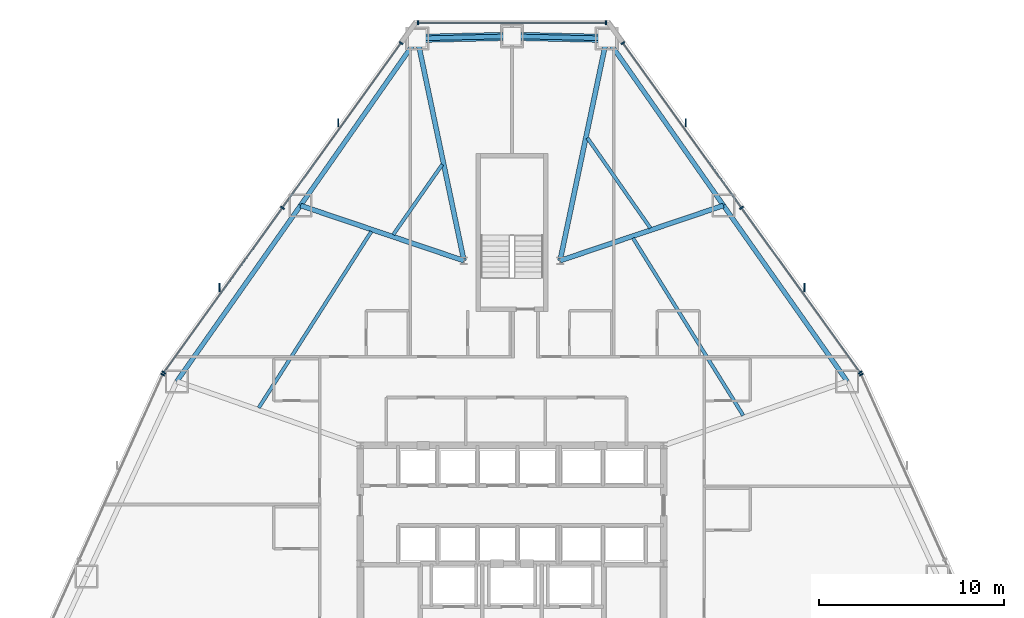
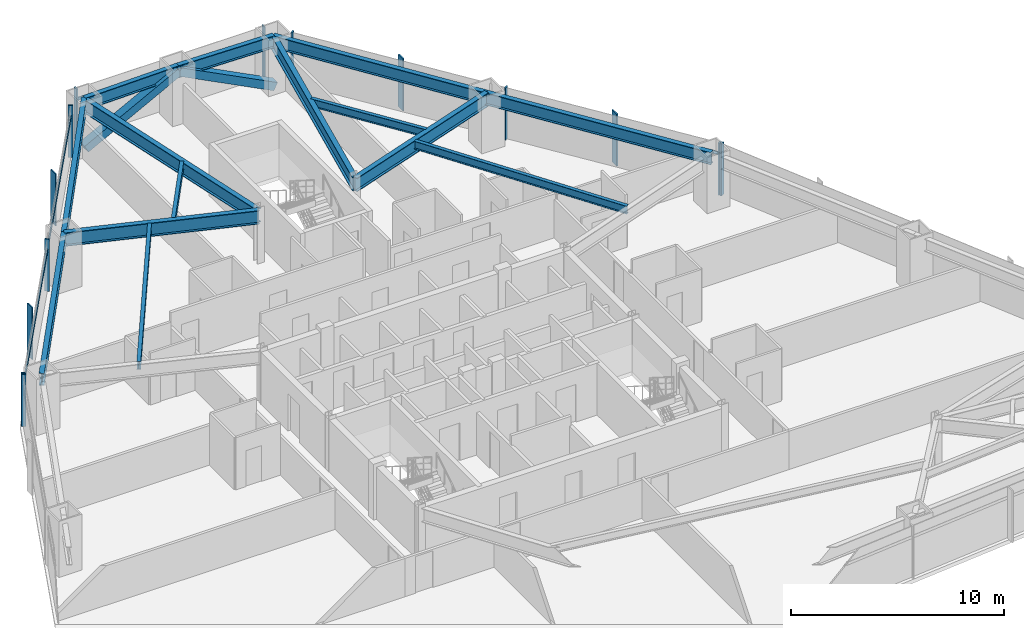
# One storey, part 7 of 12: 19 members, 14 beams, 5 elements without a shape of their own.
"""IFC4 building model written with IfcOpenShell, lengths in metres."""

from ifc_helpers import new_model, si_unit, direction, frame, origin, origin_2d, place, context, subcontext, project, spatial, rectangle, hollow_rectangle, i_section, extrude, source, transform, mapped, material, layer, layer_set, material_profile, profile_set, type_object, type_shapes, element, aggregate, save


model = new_model("IFC4")

# Units and contexts
model_context = context("Model", 3, precision=1e-05, world=origin(), true_north=direction((0.0, 1.0)))
body_context = subcontext(model_context, "Body", "Model", "MODEL_VIEW")
ifc_project = project(units=[si_unit("LENGTHUNIT", "METRE"), si_unit("AREAUNIT", "SQUARE_METRE"), si_unit("VOLUMEUNIT", "CUBIC_METRE"), si_unit("PLANEANGLEUNIT", "RADIAN"), si_unit("MASSUNIT", "GRAM", prefix="KILO")], contexts=[model_context])

# Site, building, storey
site_placement = place(None, origin())
site = spatial("IfcSite", under=ifc_project, at=site_placement, CompositionType="ELEMENT")
building_placement = place(site_placement, origin())
building = spatial("IfcBuilding", under=site, at=building_placement, Name="Varakhsha Concourse Tower", CompositionType="ELEMENT")
storey_placement = place(building_placement, frame((0.0, 0.0, 33.60009765625)))
storey = spatial("IfcBuildingStorey", under=building, at=storey_placement, Name="L08", CompositionType="ELEMENT", Elevation=33.60009765625)

# Beams
ifc_material_1 = material(Name="Structural Steel ASTM A992 Grade 50", Category="steel")
ifc_material_profile_1 = material_profile(ifc_material_1, i_section(OverallWidth=0.26611328125, OverallDepth=0.779052734375, WebThickness=0.01708984375, FlangeThickness=0.030029296875, at=origin_2d()), Name="W30X148")
ifc_profile_set_1 = profile_set([ifc_material_profile_1], Name="Structural Steel ASTM A992 Grade 50")
beam_type_1 = type_object("IfcBeamType", Name="BM-BASE-W30X148", PredefinedType="USERDEFINED", material=ifc_profile_set_1)
for number, where, z_axis, x_axis, name in (
    (1, (42.60009765625, 41.199951171875, 2.59033203125), (0.205439579313, 0.97866980093, 0.0), (-0.97866980093, 0.205439579313, 0.0), "L08 Radial Floor Girder 01"),
    (2, (37.39990234375, 41.199951171875, 2.59033203125), (-0.205439579313, 0.97866980093, 0.0), (-0.97866980093, -0.205439579313, 0.0), "L08 Radial Floor Girder 03"),
):
    element("IfcBeam", number, at=place(storey_placement, frame(where, z_axis=z_axis, x_axis=x_axis)), inside=storey, type_object=beam_type_1, Name=name, ObjectType="GIRDER", PredefinedType="USERDEFINED", context=body_context, shape_type="SweptSolid", body=[
        extrude(i_section(OverallWidth=0.26611328125, OverallDepth=0.779052734375, WebThickness=0.01708984375, FlangeThickness=0.030029296875, at=origin_2d()), origin(), (0.0, 0.0, 1.0), 12.285400390625),
    ])
for number, where, z_axis, x_axis, name in (
    (3, (37.39990234375, 41.199951171875, 2.59033203125), (-0.947494062614, 0.319773359288, 0.0), (-0.319773359288, -0.947494062614, 0.0), "L08 Radial Floor Girder 04"),
    (4, (42.60009765625, 41.199951171875, 2.59033203125), (0.947494062614, 0.319773359288, 0.0), (-0.319773359288, 0.947494062614, 0.0), "L08 Radial Floor Girder 18"),
):
    element("IfcBeam", number, at=place(storey_placement, frame(where, z_axis=z_axis, x_axis=x_axis)), inside=storey, type_object=beam_type_1, Name=name, ObjectType="GIRDER", PredefinedType="USERDEFINED", context=body_context, shape_type="SweptSolid", body=[
        extrude(i_section(OverallWidth=0.26611328125, OverallDepth=0.779052734375, WebThickness=0.01708984375, FlangeThickness=0.030029296875, at=origin_2d()), origin(), (0.0, 0.0, 1.0), 9.331298828125),
    ])
ifc_material_profile_2 = material_profile(ifc_material_1, i_section(OverallWidth=0.19091796875, OverallDepth=0.45703125, WebThickness=0.009033203125, FlangeThickness=0.013916015625, at=origin_2d()), Name="W18X50")
ifc_profile_set_2 = profile_set([ifc_material_profile_2], Name="Structural Steel ASTM A992 Grade 50")
beam_type_2 = type_object("IfcBeamType", Name="BM-JST-W18X50", PredefinedType="JOIST", material=ifc_profile_set_2)
beam_1_placement = place(storey_placement, frame((36.226318359375, 46.400146484375, 2.75146484375), z_axis=(-0.572821959369, -0.819679817285, 0.0), x_axis=(0.819679817285, -0.572821959369, 0.0)))
element("IfcBeam", 5, at=beam_1_placement, inside=storey, type_object=beam_type_2, Name="BM-TJST-L08-03", PredefinedType="JOIST", context=body_context, shape_type="SweptSolid", body=[
    extrude(i_section(OverallWidth=0.19091796875, OverallDepth=0.45703125, WebThickness=0.009033203125, FlangeThickness=0.013916015625, at=origin_2d()), origin(), (0.0, 0.0, 1.0), 4.63232421875),
])
beam_2_placement = place(storey_placement, frame((32.3896484375, 42.7783203125, 2.75146484375), z_axis=(-0.53821146818, -0.842809833545, 0.0), x_axis=(0.842809833545, -0.53821146818, 0.0)))
element("IfcBeam", 6, at=beam_2_placement, inside=storey, type_object=beam_type_2, Name="BM-TJST-L08-04", PredefinedType="JOIST", context=body_context, shape_type="SweptSolid", body=[
    extrude(i_section(OverallWidth=0.19091796875, OverallDepth=0.45703125, WebThickness=0.009033203125, FlangeThickness=0.013916015625, at=origin_2d()), origin(), (0.0, 0.0, 1.0), 11.322265625),
])
beam_3_placement = place(storey_placement, frame((52.51318359375, 32.8203125, 2.75146484375), z_axis=(-0.527810727091, 0.849362017262, 0.0), x_axis=(-0.849362017262, -0.527810727091, 0.0)))
element("IfcBeam", 7, at=beam_3_placement, inside=storey, type_object=beam_type_2, Name="BM-TJST-L08-17", PredefinedType="JOIST", context=body_context, shape_type="SweptSolid", body=[
    extrude(i_section(OverallWidth=0.19091796875, OverallDepth=0.45703125, WebThickness=0.009033203125, FlangeThickness=0.013916015625, at=origin_2d()), origin(), (0.0, 0.0, 1.0), 11.301513671875),
])
beam_4_placement = place(storey_placement, frame((47.488037109375, 42.961181640625, 2.75146484375), z_axis=(-0.572823903729, 0.819678458492, 0.0), x_axis=(-0.819678458492, -0.572823903729, 0.0)))
element("IfcBeam", 8, at=beam_4_placement, inside=storey, type_object=beam_type_2, Name="BM-TJST-L08-18", PredefinedType="JOIST", context=body_context, shape_type="SweptSolid", body=[
    extrude(i_section(OverallWidth=0.19091796875, OverallDepth=0.45703125, WebThickness=0.009033203125, FlangeThickness=0.013916015625, at=origin_2d()), origin(), (0.0, 0.0, 1.0), 5.955810546875),
])
ifc_material_profile_3 = material_profile(ifc_material_1, i_section(OverallWidth=0.25390625, OverallDepth=0.701904296875, WebThickness=0.014892578125, FlangeThickness=0.028076171875, at=origin_2d()), Name="W27X129")
ifc_profile_set_3 = profile_set([ifc_material_profile_3], Name="Structural Steel ASTM A992 Grade 50")
beam_type_3 = type_object("IfcBeamType", Name="BM-SPAN-W27X129", PredefinedType="SPANDREL", material=ifc_profile_set_3)
for number, where, z_axis, x_axis, name in (
    (9, (45.1240234375, 53.223388671875, 2.62890625), (-0.999740752381, 0.022769014658, 0.0), (-0.022769014658, -0.999740752381, 0.0), "BM-SPAN-L08-01"),
    (10, (40.0, 53.340087890625, 2.62890625), (-0.999740752381, -0.022769014658, 0.0), (0.022769014658, -0.999740752381, 0.0), "BM-SPAN-L08-02"),
):
    element("IfcBeam", number, at=place(storey_placement, frame(where, z_axis=z_axis, x_axis=x_axis)), inside=storey, type_object=beam_type_3, Name=name, PredefinedType="SPANDREL", context=body_context, shape_type="SweptSolid", body=[
        extrude(i_section(OverallWidth=0.25390625, OverallDepth=0.701904296875, WebThickness=0.014892578125, FlangeThickness=0.028076171875, at=origin_2d()), origin(), (0.0, 0.0, 1.0), 5.125244140625),
    ])
beam_5_placement = place(storey_placement, frame((34.8759765625, 53.223388671875, 2.62890625), z_axis=(-0.572835189136, -0.819670571686, 0.0), x_axis=(0.819670571686, -0.572835189136, 0.0)))
element("IfcBeam", 11, at=beam_5_placement, inside=storey, type_object=beam_type_3, Name="BM-SPAN-L08-03", PredefinedType="SPANDREL", context=body_context, shape_type="SweptSolid", body=[
    extrude(i_section(OverallWidth=0.25390625, OverallDepth=0.701904296875, WebThickness=0.014892578125, FlangeThickness=0.028076171875, at=origin_2d()), origin(), (0.0, 0.0, 1.0), 11.0283203125),
])
for number, where, z_axis, x_axis, name in (
    (12, (28.55859375, 44.183837890625, 2.62890625), (-0.575386304622, -0.817881776575, 0.0), (0.817881776575, -0.575386304622, 0.0), "BM-SPAN-L08-04"),
    (13, (58.134521484375, 34.669921875, 2.62890625), (-0.575386304622, 0.817881776575, 0.0), (-0.817881776575, -0.575386304622, 0.0), "BM-SPAN-L08-17"),
):
    element("IfcBeam", number, at=place(storey_placement, frame(where, z_axis=z_axis, x_axis=x_axis)), inside=storey, type_object=beam_type_3, Name=name, PredefinedType="SPANDREL", context=body_context, shape_type="SweptSolid", body=[
        extrude(i_section(OverallWidth=0.25390625, OverallDepth=0.701904296875, WebThickness=0.014892578125, FlangeThickness=0.028076171875, at=origin_2d()), origin(), (0.0, 0.0, 1.0), 11.63232421875),
    ])
beam_6_placement = place(storey_placement, frame((51.44140625, 44.183837890625, 2.62890625), z_axis=(-0.572835189136, 0.819670571686, 0.0), x_axis=(-0.819670571686, -0.572835189136, 0.0)))
element("IfcBeam", 14, at=beam_6_placement, inside=storey, type_object=beam_type_3, Name="BM-SPAN-L08-18", PredefinedType="SPANDREL", context=body_context, shape_type="SweptSolid", body=[
    extrude(i_section(OverallWidth=0.25390625, OverallDepth=0.701904296875, WebThickness=0.014892578125, FlangeThickness=0.028076171875, at=origin_2d()), origin(), (0.0, 0.0, 1.0), 11.0283203125),
])

# Members
ifc_material_2 = material(Name="Structural Steel ASTM A500 Grade C", Category="steel")
ifc_material_profile_4 = material_profile(ifc_material_2, hollow_rectangle(XDim=0.449951171875, YDim=0.449951171875, WallThickness=0.01904296875, at=origin_2d()), Name="HSS 450x450x19")
ifc_profile_set_4 = profile_set([ifc_material_profile_4], Name="Structural Steel ASTM A500 Grade C")
member_type_1 = type_object("IfcMemberType", Name="MB-TUBE-HSS450", PredefinedType="BRACE", material=ifc_profile_set_4)
shared_shape_1 = source(origin(), body_context, "Body", "SweptSolid", [
    extrude(hollow_rectangle(XDim=0.449951171875, YDim=0.449951171875, WallThickness=0.01904296875, at=origin_2d()), origin(), (0.0, 0.0, 1.0), 5.729248046875),
])
type_shapes(member_type_1, [shared_shape_1])
for number, where, z_axis, x_axis, name in (
    (15, (45.1240234375, 53.223388671875, 0.119873046875), (-0.894377940024, 0.020369385141, 0.4468480598), (-0.022769014658, -0.999740752381, 0.0), "L08 Wind-Corner Tube Brace B01"),
    (16, (34.8759765625, 53.223388671875, 0.119873046875), (0.894377940024, 0.020369385141, 0.4468480598), (-0.022769014658, 0.999740752381, 0.0), "L08 Wind-Corner Tube Brace B02"),
):
    element("IfcMember", number, at=place(storey_placement, frame(where, z_axis=z_axis, x_axis=x_axis)), inside=storey, type_object=member_type_1, Name=name, PredefinedType="BRACE", context=body_context, shape_type="MappedRepresentation", body=[
        mapped(shared_shape_1, transform((0.0, 0.0, 0.0), scale=1.0)),
    ])

# Curtain wall, members
ifc_material_3 = material(Name="Anodised Bronze Architectural Aluminium AA 6063-T6", Category="aluminium")
ifc_layer = layer(ifc_material_3, 0.219970703125, Name="CW-SYS-02")
ifc_layer_set = layer_set([ifc_layer], Name="Anodised Bronze Architectural Aluminium AA 6063-T6")
curtain_wall_type = type_object("IfcCurtainWallType", Name="CW-SYS-02", PredefinedType="NOTDEFINED", material=ifc_layer_set)
curtain_wall_1_placement = place(storey_placement, origin())
curtain_wall_1 = element("IfcCurtainWall", 17, at=curtain_wall_1_placement, inside=storey, type_object=curtain_wall_type, Name="L08 Chamfer Curtain Wall F1", PredefinedType="NOTDEFINED")
ifc_material_profile_5 = material_profile(ifc_material_3, rectangle(XDim=0.074951171875, YDim=0.219970703125, at=origin_2d()), Name="CWM-220X75")
ifc_profile_set_5 = profile_set([ifc_material_profile_5], Name="Anodised Bronze Architectural Aluminium AA 6063-T6")
member_type_2 = type_object("IfcMemberType", Name="CWM-220X75", PredefinedType="MULLION", material=ifc_profile_set_5)
shared_shape_2 = source(origin(), body_context, "Body", "SweptSolid", [
    extrude(rectangle(XDim=0.074951171875, YDim=0.219970703125, at=origin_2d()), origin(), (0.0, 0.0, 1.0), 2.97998046875),
])
type_shapes(member_type_2, [shared_shape_2])
member_1_placement = place(storey_placement, frame((34.919921875, 54.06005859375, 0.0), z_axis=(0.0, 0.0, 1.0), x_axis=(1.0, 0.0, 0.0)))
member_1 = element("IfcMember", 18, at=member_1_placement, type_object=member_type_2, Name="CW-L08-F1 Mullion 00", PredefinedType="MULLION", context=body_context, shape_type="MappedRepresentation", body=[
    mapped(shared_shape_2, transform((0.0, 0.0, 0.0), scale=1.0)),
])
member_2_placement = place(storey_placement, frame((45.080078125, 54.06005859375, 0.0), z_axis=(0.0, 0.0, 1.0), x_axis=(1.0, 0.0, 0.0)))
member_2 = element("IfcMember", 19, at=member_2_placement, type_object=member_type_2, Name="CW-L08-F1 Mullion 01", PredefinedType="MULLION", context=body_context, shape_type="MappedRepresentation", body=[
    mapped(shared_shape_2, transform((0.0, 0.0, 0.0), scale=1.0)),
])

curtain_wall_2_placement = place(storey_placement, origin())
curtain_wall_2 = element("IfcCurtainWall", 20, at=curtain_wall_2_placement, inside=storey, type_object=curtain_wall_type, Name="L08 Crystal Curtain Wall F2", PredefinedType="NOTDEFINED")
member_3_placement = place(storey_placement, frame((21.16552734375, 35.1474609375, 0.0), z_axis=(0.0, 0.0, 1.0), x_axis=(0.584283660256, 0.81154950826, 0.0)))
member_3 = element("IfcMember", 21, at=member_3_placement, type_object=member_type_2, Name="CW-L08-F2 Mullion 00", PredefinedType="MULLION", context=body_context, shape_type="MappedRepresentation", body=[
    mapped(shared_shape_2, transform((0.0, 0.0, 0.0), scale=1.0)),
])
member_4_placement = place(storey_placement, frame((27.5830078125, 44.060791015625, 0.0), z_axis=(0.0, 0.0, 1.0), x_axis=(0.584283660256, 0.81154950826, 0.0)))
member_4 = element("IfcMember", 22, at=member_4_placement, type_object=member_type_2, Name="CW-L08-F2 Mullion 01", PredefinedType="MULLION", context=body_context, shape_type="MappedRepresentation", body=[
    mapped(shared_shape_2, transform((0.0, 0.0, 0.0), scale=1.0)),
])
member_5_placement = place(storey_placement, frame((34.000244140625, 52.97412109375, 0.0), z_axis=(0.0, 0.0, 1.0), x_axis=(0.584283660256, 0.81154950826, 0.0)))
member_5 = element("IfcMember", 23, at=member_5_placement, type_object=member_type_2, Name="CW-L08-F2 Mullion 02", PredefinedType="MULLION", context=body_context, shape_type="MappedRepresentation", body=[
    mapped(shared_shape_2, transform((0.0, 0.0, 0.0), scale=1.0)),
])

# Curtain wall, member
curtain_wall_3_placement = place(storey_placement, origin())
curtain_wall_3 = element("IfcCurtainWall", 24, at=curtain_wall_3_placement, inside=storey, type_object=curtain_wall_type, Name="L08 Crystal Curtain Wall F3", PredefinedType="NOTDEFINED")
member_6_placement = place(storey_placement, frame((21.10205078125, 35.037353515625, 0.0), z_axis=(0.0, 0.0, 1.0), x_axis=(0.410683843161, 0.911777813377, 0.0)))
member_6 = element("IfcMember", 25, at=member_6_placement, type_object=member_type_2, Name="CW-L08-F3 Mullion 02", PredefinedType="MULLION", context=body_context, shape_type="MappedRepresentation", body=[
    mapped(shared_shape_2, transform((0.0, 0.0, 0.0), scale=1.0)),
])
aggregate(curtain_wall_3, [member_6])

curtain_wall_4_placement = place(storey_placement, origin())
curtain_wall_4 = element("IfcCurtainWall", 26, at=curtain_wall_4_placement, inside=storey, type_object=curtain_wall_type, Name="L08 Crystal Curtain Wall F8", PredefinedType="NOTDEFINED")
member_7_placement = place(storey_placement, frame((58.89794921875, 35.037353515625, 0.0), z_axis=(0.0, 0.0, 1.0), x_axis=(0.410683843161, -0.911777813377, 0.0)))
member_7 = element("IfcMember", 27, at=member_7_placement, type_object=member_type_2, Name="CW-L08-F8 Mullion 00", PredefinedType="MULLION", context=body_context, shape_type="MappedRepresentation", body=[
    mapped(shared_shape_2, transform((0.0, 0.0, 0.0), scale=1.0)),
])
aggregate(curtain_wall_4, [member_7])

# Curtain wall, members
curtain_wall_5_placement = place(storey_placement, origin())
curtain_wall_5 = element("IfcCurtainWall", 28, at=curtain_wall_5_placement, inside=storey, type_object=curtain_wall_type, Name="L08 Crystal Curtain Wall F9", PredefinedType="NOTDEFINED")
member_8_placement = place(storey_placement, frame((45.999755859375, 52.97412109375, 0.0), z_axis=(0.0, 0.0, 1.0), x_axis=(0.584283660256, -0.81154950826, 0.0)))
member_8 = element("IfcMember", 29, at=member_8_placement, type_object=member_type_2, Name="CW-L08-F9 Mullion 00", PredefinedType="MULLION", context=body_context, shape_type="MappedRepresentation", body=[
    mapped(shared_shape_2, transform((0.0, 0.0, 0.0), scale=1.0)),
])
member_9_placement = place(storey_placement, frame((52.4169921875, 44.060791015625, 0.0), z_axis=(0.0, 0.0, 1.0), x_axis=(0.584283660256, -0.81154950826, 0.0)))
member_9 = element("IfcMember", 30, at=member_9_placement, type_object=member_type_2, Name="CW-L08-F9 Mullion 01", PredefinedType="MULLION", context=body_context, shape_type="MappedRepresentation", body=[
    mapped(shared_shape_2, transform((0.0, 0.0, 0.0), scale=1.0)),
])
member_10_placement = place(storey_placement, frame((58.83447265625, 35.1474609375, 0.0), z_axis=(0.0, 0.0, 1.0), x_axis=(0.584283660256, -0.81154950826, 0.0)))
member_10 = element("IfcMember", 31, at=member_10_placement, type_object=member_type_2, Name="CW-L08-F9 Mullion 02", PredefinedType="MULLION", context=body_context, shape_type="MappedRepresentation", body=[
    mapped(shared_shape_2, transform((0.0, 0.0, 0.0), scale=1.0)),
])

# Member
ifc_material_profile_6 = material_profile(ifc_material_3, rectangle(XDim=0.06494140625, YDim=0.159912109375, at=origin_2d()), Name="CWT-160X65")
ifc_profile_set_6 = profile_set([ifc_material_profile_6], Name="Anodised Bronze Architectural Aluminium AA 6063-T6")
member_type_3 = type_object("IfcMemberType", Name="CWT-160X65", PredefinedType="USERDEFINED", material=ifc_profile_set_6)
shared_shape_3 = source(origin(), body_context, "Body", "SweptSolid", [
    extrude(rectangle(XDim=0.06494140625, YDim=0.159912109375, at=origin_2d()), origin(), (0.0, 0.0, 1.0), 10.16015625),
])
member_11_placement = place(storey_placement, frame((34.919921875, 54.06005859375, 2.329833984375), z_axis=(1.0, 0.0, 0.0), x_axis=(0.0, 1.0, 0.0)))
member_11 = element("IfcMember", 32, at=member_11_placement, type_object=member_type_3, Name="CW-L08-F1 Transom 01", ObjectType="TRANSOM", PredefinedType="USERDEFINED", context=body_context, shape_type="MappedRepresentation", body=[
    mapped(shared_shape_3, transform((0.0, 0.0, 0.0), scale=1.0)),
])

aggregate(curtain_wall_1, [member_1, member_2, member_11])

shared_shape_4 = source(origin(), body_context, "Body", "SweptSolid", [
    extrude(rectangle(XDim=0.06494140625, YDim=0.159912109375, at=origin_2d()), origin(), (0.0, 0.0, 1.0), 21.96630859375),
])
type_shapes(member_type_3, [shared_shape_3, shared_shape_4])
member_12_placement = place(storey_placement, frame((21.16552734375, 35.1474609375, 2.329833984375), z_axis=(0.584290379042, 0.811544670957, 0.0), x_axis=(-0.811544670957, 0.584290379042, 0.0)))
member_12 = element("IfcMember", 33, at=member_12_placement, type_object=member_type_3, Name="CW-L08-F2 Transom 01", ObjectType="TRANSOM", PredefinedType="USERDEFINED", context=body_context, shape_type="MappedRepresentation", body=[
    mapped(shared_shape_4, transform((0.0, 0.0, 0.0), scale=1.0)),
])

member_13_placement = place(storey_placement, frame((45.999755859375, 52.97412109375, 2.329833984375), z_axis=(0.584290379042, -0.811544670957, 0.0), x_axis=(0.811544670957, 0.584290379042, 0.0)))
member_13 = element("IfcMember", 34, at=member_13_placement, type_object=member_type_3, Name="CW-L08-F9 Transom 01", ObjectType="TRANSOM", PredefinedType="USERDEFINED", context=body_context, shape_type="MappedRepresentation", body=[
    mapped(shared_shape_4, transform((0.0, 0.0, 0.0), scale=1.0)),
])

ifc_material_profile_7 = material_profile(ifc_material_3, rectangle(XDim=0.06494140625, YDim=0.449951171875, at=origin_2d()), Name="FIN-BRZ-450")
ifc_profile_set_7 = profile_set([ifc_material_profile_7], Name="Anodised Bronze Architectural Aluminium AA 6063-T6")
member_type_4 = type_object("IfcMemberType", Name="FIN-BRZ-450", PredefinedType="USERDEFINED", material=ifc_profile_set_7)
shared_shape_5 = source(origin(), body_context, "Body", "SweptSolid", [
    extrude(rectangle(XDim=0.06494140625, YDim=0.449951171875, at=origin_2d()), origin(), (0.0, 0.0, 1.0), 2.97998046875),
])
type_shapes(member_type_4, [shared_shape_5])
member_14_placement = place(storey_placement, frame((24.179443359375, 39.744384765625, 0.0), z_axis=(0.0, 0.0, 1.0), x_axis=(1.0, 0.0, 0.0)))
member_14 = element("IfcMember", 35, at=member_14_placement, type_object=member_type_4, Name="L08 Anodised Bronze Solar Fin F2-1", ObjectType="SOLAR FIN", PredefinedType="USERDEFINED", context=body_context, shape_type="MappedRepresentation", body=[
    mapped(shared_shape_5, transform((0.0, 0.0, 0.0), scale=1.0)),
])

member_15_placement = place(storey_placement, frame((30.5966796875, 48.65771484375, 0.0), z_axis=(0.0, 0.0, 1.0), x_axis=(1.0, 0.0, 0.0)))
member_15 = element("IfcMember", 36, at=member_15_placement, type_object=member_type_4, Name="L08 Anodised Bronze Solar Fin F2-2", ObjectType="SOLAR FIN", PredefinedType="USERDEFINED", context=body_context, shape_type="MappedRepresentation", body=[
    mapped(shared_shape_5, transform((0.0, 0.0, 0.0), scale=1.0)),
])

aggregate(curtain_wall_2, [member_3, member_4, member_5, member_12, member_14, member_15])

member_16_placement = place(storey_placement, frame((49.4033203125, 48.65771484375, 0.0), z_axis=(0.0, 0.0, 1.0), x_axis=(1.0, 0.0, 0.0)))
member_16 = element("IfcMember", 37, at=member_16_placement, type_object=member_type_4, Name="L08 Anodised Bronze Solar Fin F9-1", ObjectType="SOLAR FIN", PredefinedType="USERDEFINED", context=body_context, shape_type="MappedRepresentation", body=[
    mapped(shared_shape_5, transform((0.0, 0.0, 0.0), scale=1.0)),
])

member_17_placement = place(storey_placement, frame((55.820556640625, 39.744384765625, 0.0), z_axis=(0.0, 0.0, 1.0), x_axis=(1.0, 0.0, 0.0)))
member_17 = element("IfcMember", 38, at=member_17_placement, type_object=member_type_4, Name="L08 Anodised Bronze Solar Fin F9-2", ObjectType="SOLAR FIN", PredefinedType="USERDEFINED", context=body_context, shape_type="MappedRepresentation", body=[
    mapped(shared_shape_5, transform((0.0, 0.0, 0.0), scale=1.0)),
])

aggregate(curtain_wall_5, [member_8, member_9, member_10, member_13, member_16, member_17])

save(model, "model.ifc")
